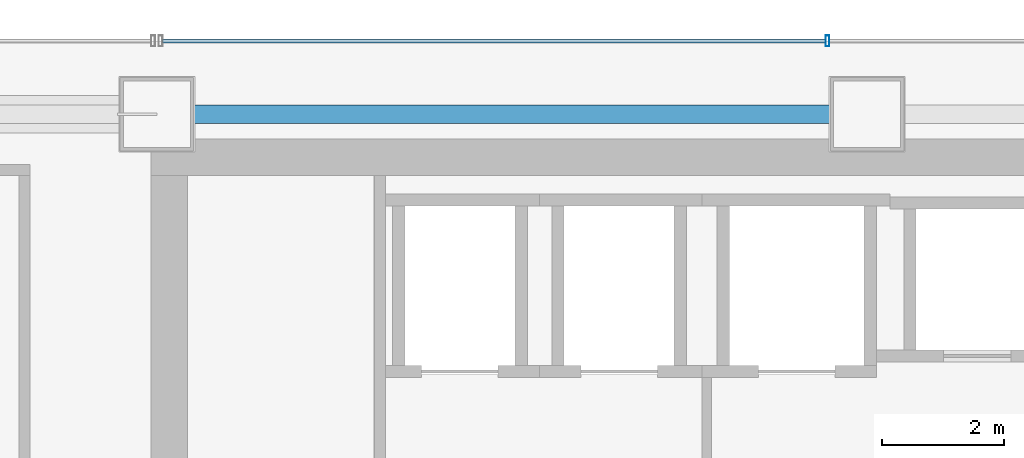
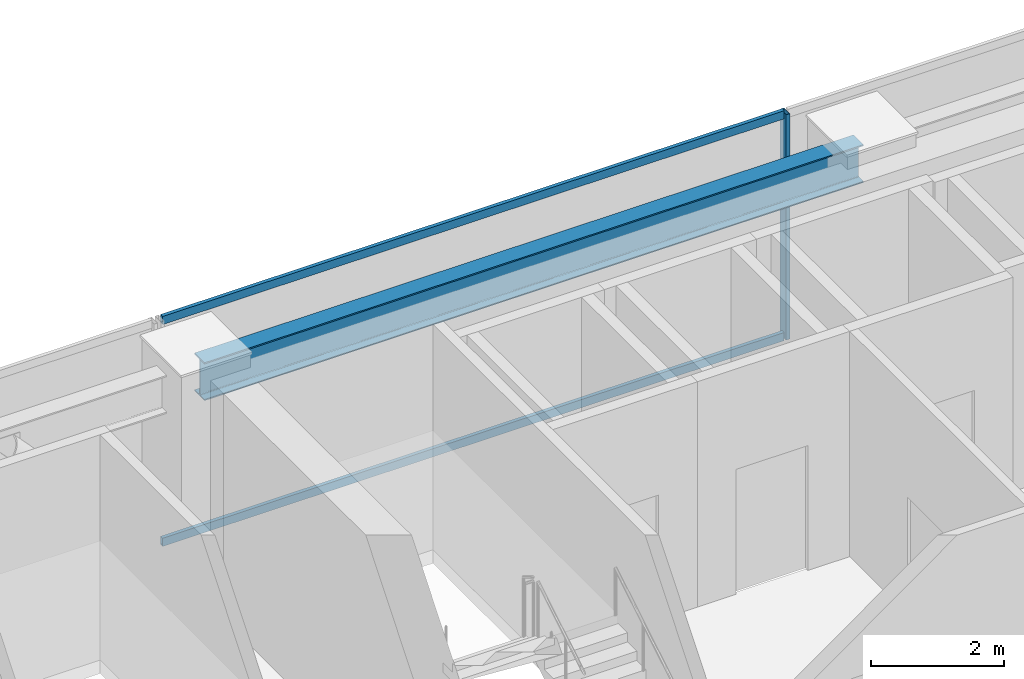
# One storey, part 27 of 40: 3 members, 1 beam, 1 element without a shape of its own.
"""IFC4 building model written with IfcOpenShell, lengths in metres."""

from ifc_helpers import new_model, si_unit, direction, frame, origin, origin_2d, place, context, subcontext, project, spatial, hollow_rectangle, i_section, extrude, material, material_profile, profile_set, type_object, element, aggregate, save


model = new_model("IFC4")

# Units and contexts
model_context = context("Model", 3, precision=1e-05, world=origin(), true_north=direction((0.0, 1.0)))
body_context = subcontext(model_context, "Body", "Model", "MODEL_VIEW")
ifc_project = project(units=[si_unit("LENGTHUNIT", "METRE"), si_unit("AREAUNIT", "SQUARE_METRE"), si_unit("VOLUMEUNIT", "CUBIC_METRE"), si_unit("PLANEANGLEUNIT", "RADIAN"), si_unit("MASSUNIT", "GRAM", prefix="KILO")], contexts=[model_context])

# Site, building, storey
site_placement = place(None, origin())
site = spatial("IfcSite", under=ifc_project, at=site_placement, CompositionType="ELEMENT")
building_placement = place(site_placement, origin())
building = spatial("IfcBuilding", under=site, at=building_placement, Name="Saevonmaru Cultural Tower", CompositionType="ELEMENT")
storey_placement = place(building_placement, frame((0.0, 0.0, 97.199951171875)))
storey = spatial("IfcBuildingStorey", under=building, at=storey_placement, Name="L20", CompositionType="ELEMENT", Elevation=97.199951171875)

# Beam
ifc_material_1 = material(Name="Steel SM355", Category="steel")
ifc_material_profile_1 = material_profile(ifc_material_1, i_section(OverallWidth=0.300048828125, OverallDepth=0.699951171875, WebThickness=0.012939453125, FlangeThickness=0.02392578125, FilletRadius=0.02587890625, at=origin_2d()), Name="H-700x300x13x24")
ifc_profile_set_1 = profile_set([ifc_material_profile_1], Name="Steel SM355")
beam_type = type_object("IfcBeamType", Name="BM-SP-H700", PredefinedType="SPANDREL", material=ifc_profile_set_1)
beam_placement = place(storey_placement, frame((13.659912109375, 54.800048828125, 3.800048828125), z_axis=(1.0, 0.0, 0.0), x_axis=(0.0, 1.0, 0.0)))
element("IfcBeam", 1, at=beam_placement, inside=storey, type_object=beam_type, Name="L20 North Spine Girder 2", PredefinedType="SPANDREL", context=body_context, shape_type="SweptSolid", body=[
    extrude(i_section(OverallWidth=0.300048828125, OverallDepth=0.699951171875, WebThickness=0.012939453125, FlangeThickness=0.02392578125, FilletRadius=0.02587890625, at=origin_2d()), origin(), (0.0, 0.0, 1.0), 11.47998046875),
])

# Curtain wall, members
ifc_material_2 = material(Name="Satin Bronze Anodised Aluminium", Category="aluminium")
curtain_wall_type = type_object("IfcCurtainWallType", Name="CW-TYP-A", PredefinedType="NOTDEFINED", material=ifc_material_2)
curtain_wall_placement = place(storey_placement, origin())
curtain_wall = element("IfcCurtainWall", 2, at=curtain_wall_placement, inside=storey, type_object=curtain_wall_type, Name="L20 North Spine Unitised Curtain Wall E10B", PredefinedType="NOTDEFINED")
ifc_material_profile_2 = material_profile(ifc_material_2, hollow_rectangle(XDim=0.06494140625, YDim=0.179931640625, WallThickness=0.00390625, at=origin_2d()), Name="ALU-MULL-180x65x4")
ifc_profile_set_2 = profile_set([ifc_material_profile_2], Name="Satin Bronze Anodised Aluminium")
member_type_1 = type_object("IfcMemberType", Name="ML-CW-180x65", PredefinedType="MULLION", material=ifc_profile_set_2)
member_1_placement = place(storey_placement, frame((24.55322265625, 56.0, 0.0), z_axis=(0.0, 0.0, 1.0), x_axis=(-1.0, 0.0, 0.0)))
member_1 = element("IfcMember", 3, at=member_1_placement, type_object=member_type_1, Name="CW-TW-L20-E10B mullion 3", PredefinedType="MULLION", context=body_context, shape_type="SweptSolid", body=[
    extrude(hollow_rectangle(XDim=0.06494140625, YDim=0.179931640625, WallThickness=0.00390625, at=origin_2d()), origin(), (0.0, 0.0, 1.0), 4.150146484375),
])
ifc_material_profile_3 = material_profile(ifc_material_2, hollow_rectangle(XDim=0.06494140625, YDim=0.14990234375, WallThickness=0.00390625, at=origin_2d()), Name="ALU-TRAN-150x65x4")
ifc_profile_set_3 = profile_set([ifc_material_profile_3], Name="Satin Bronze Anodised Aluminium")
member_type_2 = type_object("IfcMemberType", Name="TR-CW-150x65", PredefinedType="USERDEFINED", material=ifc_profile_set_3)
member_2_placement = place(storey_placement, frame((24.520751953125, 56.0, 0.032470703125), z_axis=(-1.0, 0.0, 0.0), x_axis=(0.0, -1.0, 0.0)))
member_2 = element("IfcMember", 4, at=member_2_placement, type_object=member_type_2, Name="CW-TW-L20-E10B transom 3.1", ObjectType="TRANSOM", PredefinedType="USERDEFINED", context=body_context, shape_type="SweptSolid", body=[
    extrude(hollow_rectangle(XDim=0.06494140625, YDim=0.14990234375, WallThickness=0.00390625, at=origin_2d()), origin(), (0.0, 0.0, 1.0), 10.828369140625),
])
member_3_placement = place(storey_placement, frame((24.520751953125, 56.0, 4.117431640625), z_axis=(-1.0, 0.0, 0.0), x_axis=(0.0, -1.0, 0.0)))
member_3 = element("IfcMember", 5, at=member_3_placement, type_object=member_type_2, Name="CW-TW-L20-E10B transom 3.2", ObjectType="TRANSOM", PredefinedType="USERDEFINED", context=body_context, shape_type="SweptSolid", body=[
    extrude(hollow_rectangle(XDim=0.06494140625, YDim=0.14990234375, WallThickness=0.00390625, at=origin_2d()), origin(), (0.0, 0.0, 1.0), 10.828369140625),
])
aggregate(curtain_wall, [member_1, member_2, member_3])

save(model, "model.ifc")
